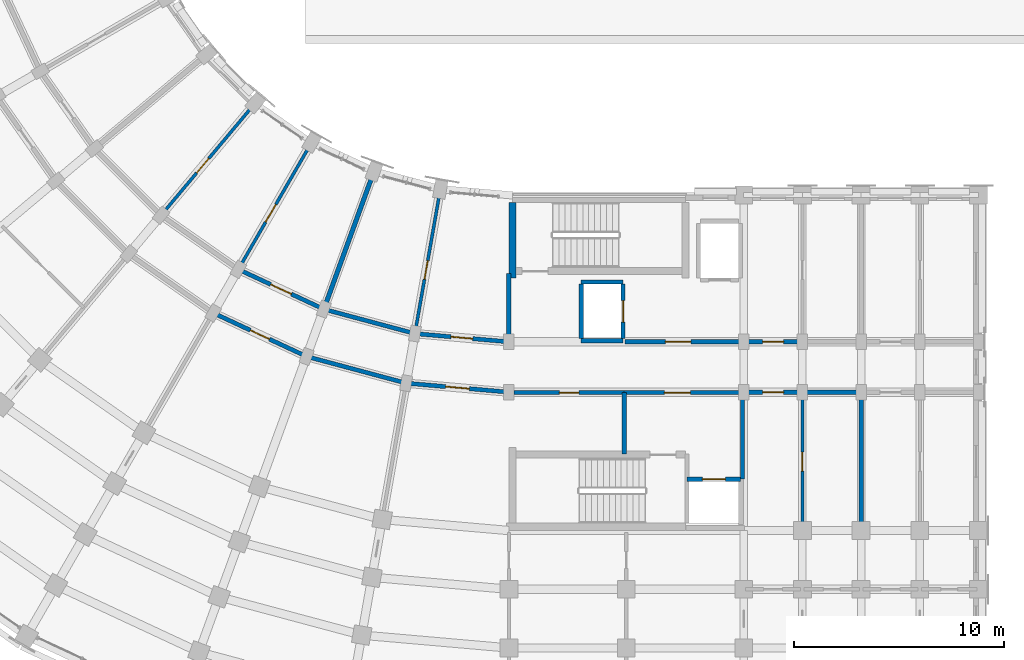
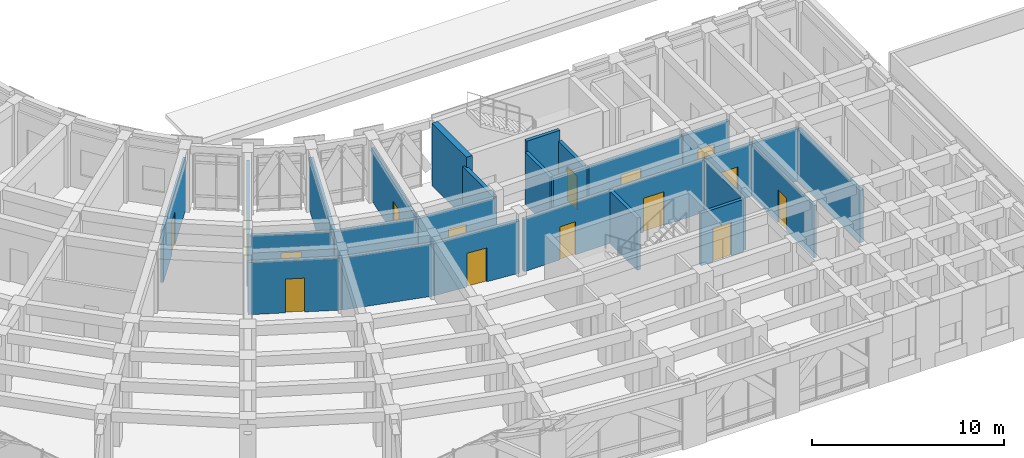
# One storey, part 58 of 97: 27 walls, 15 doors, 15 openings.
"""IFC4 building model written with IfcOpenShell, lengths in metres."""

from ifc_helpers import new_model, si_unit, direction, frame, frame_2d, origin, place, context, subcontext, project, spatial, rectangle, extrude, material, layer, layer_set, type_object, element, fill, save


model = new_model("IFC4")

# Units and contexts
model_context = context("Model", 3, precision=1e-05, world=origin(), true_north=direction((0.0, 1.0)))
body_context = subcontext(model_context, "Body", "Model", "MODEL_VIEW")
ifc_project = project(units=[si_unit("LENGTHUNIT", "METRE"), si_unit("AREAUNIT", "SQUARE_METRE"), si_unit("VOLUMEUNIT", "CUBIC_METRE"), si_unit("PLANEANGLEUNIT", "RADIAN"), si_unit("MASSUNIT", "GRAM", prefix="KILO")], contexts=[model_context])

# Site, building, storey
site_placement = place(None, origin())
site = spatial("IfcSite", under=ifc_project, at=site_placement, CompositionType="ELEMENT")
building_placement = place(site_placement, origin())
building = spatial("IfcBuilding", under=site, at=building_placement, Name="Kiranvali Square Residences", CompositionType="ELEMENT")
storey_placement = place(building_placement, frame((0.0, 0.0, 4.5)))
storey = spatial("IfcBuildingStorey", under=building, at=storey_placement, Name="L01", CompositionType="ELEMENT", Elevation=4.5)

# Wall, opening, door
ifc_material_1 = material(Name="Autoclaved aerated concrete blockwork masonry", Category="masonry")
ifc_layer_1 = layer(ifc_material_1, 0.199951171875)
ifc_layer_set_1 = layer_set([ifc_layer_1], Name="Autoclaved aerated concrete blockwork masonry")
wall_type_1 = type_object("IfcWallType", Name="WL-COR-200", PredefinedType="STANDARD", material=ifc_layer_set_1)
wall_1_placement = place(storey_placement, frame((53.75, 22.39990234375, 0.0), z_axis=(0.0, 0.0, 1.0), x_axis=(1.0, 0.0, 0.0)))
wall_1 = element("IfcWall", 1, at=wall_1_placement, inside=storey, type_object=wall_type_1, Name="L01 architectural wall WL-L01-C-LL-COR", PredefinedType="STANDARD", context=body_context, shape_type="SweptSolid", body=[
    extrude(rectangle(XDim=5.60009765625, YDim=0.199951171875, at=frame_2d((2.800048828125, 0.0))), origin(), (0.0, 0.0, 1.0), 3.322021484375),
])
opening_1_placement = place(wall_1_placement, frame((1.909912109375, 0.0, 0.0)))
opening_1 = element("IfcOpeningElement", 2, at=opening_1_placement, cuts=wall_1, Name="Opening FD-COR-60", PredefinedType="OPENING", context=body_context, shape_type="SweptSolid", body=[
    extrude(rectangle(XDim=1.219970703125, YDim=2.14990234375, at=frame_2d((0.60986328125, 1.074951171875))), frame((0.0, 0.10986328125, 0.0), z_axis=(0.0, -1.0, 0.0), x_axis=(1.0, 0.0, 0.0)), (0.0, 0.0, 1.0), 0.219970703125),
])
ifc_material_2 = material(Name="Fire-rated acoustic hardwood and mineral-core door assembly", Category="wood")
door_type_1 = type_object("IfcDoorType", Name="DR-FD60-1200", OperationType="NOTDEFINED", PredefinedType="DOOR", material=ifc_material_2)
door_1_placement = place(opening_1_placement, origin())
door_1 = element("IfcDoor", 3, at=door_1_placement, inside=storey, type_object=door_type_1, Name="L01 door DR-L01-1795 (DR-FD60-1200)", OperationType="SINGLE_SWING_LEFT", OverallHeight=2.14990234375, OverallWidth=1.219970703125, PredefinedType="DOOR", context=body_context, shape_type="SweptSolid", body=[
    extrude(rectangle(XDim=1.219970703125, YDim=2.14990234375, at=frame_2d((0.60986328125, 1.074951171875))), frame((0.0, 0.02490234375, 0.0), z_axis=(0.0, -1.0, 0.0), x_axis=(1.0, 0.0, 0.0)), (0.0, 0.0, 1.0), 0.050048828125),
])
fill(opening_1, door_1)

wall_2_placement = place(storey_placement, frame((59.39990234375, 22.39990234375, 0.0), z_axis=(0.0, 0.0, 1.0), x_axis=(1.0, 0.0, 0.0)))
wall_2 = element("IfcWall", 4, at=wall_2_placement, inside=storey, type_object=wall_type_1, Name="L01 architectural wall WL-L01-C-A1CI-0", PredefinedType="STANDARD", context=body_context, shape_type="SweptSolid", body=[
    extrude(rectangle(XDim=2.800048828125, YDim=0.199951171875, at=frame_2d((1.39990234375, 0.0))), origin(), (0.0, 0.0, 1.0), 3.322021484375),
])
opening_2_placement = place(wall_2_placement, frame((0.89990234375, 0.0, 0.0)))
opening_2 = element("IfcOpeningElement", 5, at=opening_2_placement, cuts=wall_2, Name="Opening FD-APT-60", PredefinedType="OPENING", context=body_context, shape_type="SweptSolid", body=[
    extrude(rectangle(XDim=1.0, YDim=2.14990234375, at=frame_2d((0.5, 1.074951171875))), frame((0.0, 0.10986328125, 0.0), z_axis=(0.0, -1.0, 0.0), x_axis=(1.0, 0.0, 0.0)), (0.0, 0.0, 1.0), 0.219970703125),
])
door_type_2 = type_object("IfcDoorType", Name="DR-APT-1000", OperationType="NOTDEFINED", PredefinedType="DOOR", material=ifc_material_2)
door_2_placement = place(opening_2_placement, origin())
door_2 = element("IfcDoor", 6, at=door_2_placement, inside=storey, type_object=door_type_2, Name="L01 door DR-L01-1799 (DR-APT-1000)", OperationType="SINGLE_SWING_LEFT", OverallHeight=2.14990234375, OverallWidth=1.0, PredefinedType="DOOR", context=body_context, shape_type="SweptSolid", body=[
    extrude(rectangle(XDim=1.0, YDim=2.14990234375, at=frame_2d((0.5, 1.074951171875))), frame((0.0, 0.02490234375, 0.0), z_axis=(0.0, -1.0, 0.0), x_axis=(1.0, 0.0, 0.0)), (0.0, 0.0, 1.0), 0.050048828125),
])
fill(opening_2, door_2)

wall_3_placement = place(storey_placement, frame((59.39990234375, 20.0, 0.0), z_axis=(0.0, 0.0, 1.0), x_axis=(1.0, 0.0, 0.0)))
wall_3 = element("IfcWall", 7, at=wall_3_placement, inside=storey, type_object=wall_type_1, Name="L01 architectural wall WL-L01-C-A1CO-0", PredefinedType="STANDARD", context=body_context, shape_type="SweptSolid", body=[
    extrude(rectangle(XDim=2.800048828125, YDim=0.199951171875, at=frame_2d((1.39990234375, 0.0))), origin(), (0.0, 0.0, 1.0), 3.322021484375),
])
opening_3_placement = place(wall_3_placement, frame((0.89990234375, 0.0, 0.0)))
opening_3 = element("IfcOpeningElement", 8, at=opening_3_placement, cuts=wall_3, Name="Opening FD-APT-60", PredefinedType="OPENING", context=body_context, shape_type="SweptSolid", body=[
    extrude(rectangle(XDim=1.0, YDim=2.14990234375, at=frame_2d((0.5, 1.074951171875))), frame((0.0, 0.10986328125, 0.0), z_axis=(0.0, -1.0, 0.0), x_axis=(1.0, 0.0, 0.0)), (0.0, 0.0, 1.0), 0.219970703125),
])
door_3_placement = place(opening_3_placement, origin())
door_3 = element("IfcDoor", 9, at=door_3_placement, inside=storey, type_object=door_type_2, Name="L01 door DR-L01-1801 (DR-APT-1000)", OperationType="SINGLE_SWING_LEFT", OverallHeight=2.14990234375, OverallWidth=1.0, PredefinedType="DOOR", context=body_context, shape_type="SweptSolid", body=[
    extrude(rectangle(XDim=1.0, YDim=2.14990234375, at=frame_2d((0.5, 1.074951171875))), frame((0.0, 0.02490234375, 0.0), z_axis=(0.0, -1.0, 0.0), x_axis=(1.0, 0.0, 0.0)), (0.0, 0.0, 1.0), 0.050048828125),
])
fill(opening_3, door_3)

# Wall
wall_4_placement = place(storey_placement, frame((62.199951171875, 20.0, 0.0), z_axis=(0.0, 0.0, 1.0), x_axis=(1.0, 0.0, 0.0)))
element("IfcWall", 10, at=wall_4_placement, inside=storey, type_object=wall_type_1, Name="L01 architectural wall WL-L01-C-A1CO-1", PredefinedType="STANDARD", context=body_context, shape_type="SweptSolid", body=[
    extrude(rectangle(XDim=2.800048828125, YDim=0.199951171875, at=frame_2d((1.39990234375, 0.0))), origin(), (0.0, 0.0, 1.0), 3.322021484375),
])

# Wall, opening, door
wall_5_placement = place(storey_placement, frame((48.199951171875, 22.39990234375, 0.0), z_axis=(0.0, 0.0, 1.0), x_axis=(-0.996191949488, 0.087187153726, 0.0)))
wall_5 = element("IfcWall", 11, at=wall_5_placement, inside=storey, type_object=wall_type_1, Name="L01 architectural wall WL-L01-C-CCI-0", PredefinedType="STANDARD", context=body_context, shape_type="SweptSolid", body=[
    extrude(rectangle(XDim=4.4970703125, YDim=0.199951171875, at=frame_2d((2.24853515625, 0.0))), origin(), (0.0, 0.0, 1.0), 3.322021484375),
])
opening_4_placement = place(wall_5_placement, frame((1.728515625, 0.0, 0.0)))
opening_4 = element("IfcOpeningElement", 12, at=opening_4_placement, cuts=wall_5, Name="Opening FD-APT-60B", PredefinedType="OPENING", context=body_context, shape_type="SweptSolid", body=[
    extrude(rectangle(XDim=1.0400390625, YDim=2.14990234375, at=frame_2d((0.52001953125, 1.074951171875))), frame((0.0, 0.10986328125, 0.0), z_axis=(0.0, -1.0, 0.0), x_axis=(1.0, 0.0, 0.0)), (0.0, 0.0, 1.0), 0.219970703125),
])
door_type_3 = type_object("IfcDoorType", Name="DR-APT-1040", OperationType="NOTDEFINED", PredefinedType="DOOR", material=ifc_material_2)
door_4_placement = place(opening_4_placement, origin())
door_4 = element("IfcDoor", 13, at=door_4_placement, inside=storey, type_object=door_type_3, Name="L01 door DR-L01-1831 (DR-APT-1040)", OperationType="SINGLE_SWING_LEFT", OverallHeight=2.14990234375, OverallWidth=1.0400390625, PredefinedType="DOOR", context=body_context, shape_type="SweptSolid", body=[
    extrude(rectangle(XDim=1.0400390625, YDim=2.14990234375, at=frame_2d((0.52001953125, 1.074951171875))), frame((0.0, 0.02490234375, 0.0), z_axis=(0.0, -1.0, 0.0), x_axis=(1.0, 0.0, 0.0)), (0.0, 0.0, 1.0), 0.050048828125),
])
fill(opening_4, door_4)

wall_6_placement = place(storey_placement, frame((48.199951171875, 20.0, 0.0), z_axis=(0.0, 0.0, 1.0), x_axis=(-0.996193663584, 0.087167566415, 0.0)))
wall_6 = element("IfcWall", 14, at=wall_6_placement, inside=storey, type_object=wall_type_1, Name="L01 architectural wall WL-L01-C-CCO-0", PredefinedType="STANDARD", context=body_context, shape_type="SweptSolid", body=[
    extrude(rectangle(XDim=4.91552734375, YDim=0.199951171875, at=frame_2d((2.457763671875, 0.0))), origin(), (0.0, 0.0, 1.0), 3.322021484375),
])
opening_5_placement = place(wall_6_placement, frame((1.8876953125, 0.0, 0.0)))
opening_5 = element("IfcOpeningElement", 15, at=opening_5_placement, cuts=wall_6, Name="Opening FD-APT-60D", PredefinedType="OPENING", context=body_context, shape_type="SweptSolid", body=[
    extrude(rectangle(XDim=1.139892578125, YDim=2.14990234375, at=frame_2d((0.56982421875, 1.074951171875))), frame((0.0, 0.10986328125, 0.0), z_axis=(0.0, -1.0, 0.0), x_axis=(1.0, 0.0, 0.0)), (0.0, 0.0, 1.0), 0.219970703125),
])
door_type_4 = type_object("IfcDoorType", Name="DR-APT-1140", OperationType="NOTDEFINED", PredefinedType="DOOR", material=ifc_material_2)
door_5_placement = place(opening_5_placement, frame((1.139892578125, 0.0, 0.0), z_axis=(0.0, 0.0, 1.0), x_axis=(-1.0, 0.0, 0.0)))
door_5 = element("IfcDoor", 16, at=door_5_placement, inside=storey, type_object=door_type_4, Name="L01 door DR-L01-1824 (DR-APT-1140)", OperationType="SINGLE_SWING_RIGHT", OverallHeight=2.14990234375, OverallWidth=1.139892578125, PredefinedType="DOOR", context=body_context, shape_type="SweptSolid", body=[
    extrude(rectangle(XDim=1.139892578125, YDim=2.14990234375, at=frame_2d((0.56982421875, 1.074951171875))), frame((0.0, 0.02490234375, 0.0), z_axis=(0.0, -1.0, 0.0), x_axis=(1.0, 0.0, 0.0)), (0.0, 0.0, 1.0), 0.050048828125),
])
fill(opening_5, door_5)

# Walls
wall_7_placement = place(storey_placement, frame((43.719970703125, 22.7919921875, 0.0), z_axis=(0.0, 0.0, 1.0), x_axis=(-0.965934240054, 0.258787642463, 0.0)))
element("IfcWall", 17, at=wall_7_placement, inside=storey, type_object=wall_type_1, Name="L01 architectural wall WL-L01-C-CCI-1", PredefinedType="STANDARD", context=body_context, shape_type="SweptSolid", body=[
    extrude(rectangle(XDim=4.497314453125, YDim=0.199951171875, at=frame_2d((2.24853515625, 0.0))), origin(), (0.0, 0.0, 1.0), 3.322021484375),
])
wall_8_placement = place(storey_placement, frame((43.30322265625, 20.428466796875, 0.0), z_axis=(0.0, 0.0, 1.0), x_axis=(-0.965930095386, 0.258803112091, 0.0)))
element("IfcWall", 18, at=wall_8_placement, inside=storey, type_object=wall_type_1, Name="L01 architectural wall WL-L01-C-CCO-1", PredefinedType="STANDARD", context=body_context, shape_type="SweptSolid", body=[
    extrude(rectangle(XDim=4.915771484375, YDim=0.199951171875, at=frame_2d((2.4580078125, 0.0))), origin(), (0.0, 0.0, 1.0), 3.322021484375),
])

# Wall, opening, door
wall_9_placement = place(storey_placement, frame((39.3759765625, 23.955810546875, 0.0), z_axis=(0.0, 0.0, 1.0), x_axis=(-0.906307919131, 0.422617978463, 0.0)))
wall_9 = element("IfcWall", 19, at=wall_9_placement, inside=storey, type_object=wall_type_1, Name="L01 architectural wall WL-L01-C-CCI-2", PredefinedType="STANDARD", context=body_context, shape_type="SweptSolid", body=[
    extrude(rectangle(XDim=4.497314453125, YDim=0.199951171875, at=frame_2d((2.24853515625, 0.0))), origin(), (0.0, 0.0, 1.0), 3.322021484375),
])
opening_6_placement = place(wall_9_placement, frame((1.708740234375, 0.0, 0.0)))
opening_6 = element("IfcOpeningElement", 20, at=opening_6_placement, cuts=wall_9, Name="Opening FD-APT-60C", PredefinedType="OPENING", context=body_context, shape_type="SweptSolid", body=[
    extrude(rectangle(XDim=1.080078125, YDim=2.14990234375, at=frame_2d((0.5400390625, 1.074951171875))), frame((0.0, 0.10986328125, 0.0), z_axis=(0.0, -1.0, 0.0), x_axis=(1.0, 0.0, 0.0)), (0.0, 0.0, 1.0), 0.219970703125),
])
door_type_5 = type_object("IfcDoorType", Name="DR-APT-1080", OperationType="NOTDEFINED", PredefinedType="DOOR", material=ifc_material_2)
door_6_placement = place(opening_6_placement, frame((1.080078125, 0.0, 0.0), z_axis=(0.0, 0.0, 1.0), x_axis=(-1.0, 0.0, 0.0)))
door_6 = element("IfcDoor", 21, at=door_6_placement, inside=storey, type_object=door_type_5, Name="L01 door DR-L01-1832 (DR-APT-1080)", OperationType="SINGLE_SWING_RIGHT", OverallHeight=2.14990234375, OverallWidth=1.080078125, PredefinedType="DOOR", context=body_context, shape_type="SweptSolid", body=[
    extrude(rectangle(XDim=1.080078125, YDim=2.14990234375, at=frame_2d((0.5400390625, 1.074951171875))), frame((0.0, 0.02490234375, 0.0), z_axis=(0.0, -1.0, 0.0), x_axis=(1.0, 0.0, 0.0)), (0.0, 0.0, 1.0), 0.050048828125),
])
fill(opening_6, door_6)

wall_10_placement = place(storey_placement, frame((38.554931640625, 21.70068359375, 0.0), z_axis=(0.0, 0.0, 1.0), x_axis=(-0.906302381024, 0.422629854778, 0.0)))
wall_10 = element("IfcWall", 22, at=wall_10_placement, inside=storey, type_object=wall_type_1, Name="L01 architectural wall WL-L01-C-CCO-2", PredefinedType="STANDARD", context=body_context, shape_type="SweptSolid", body=[
    extrude(rectangle(XDim=4.915283203125, YDim=0.199951171875, at=frame_2d((2.45751953125, 0.0))), origin(), (0.0, 0.0, 1.0), 3.322021484375),
])
opening_7_placement = place(wall_10_placement, frame((1.957763671875, 0.0, 0.0)))
opening_7 = element("IfcOpeningElement", 23, at=opening_7_placement, cuts=wall_10, Name="Opening FD-APT-60", PredefinedType="OPENING", context=body_context, shape_type="SweptSolid", body=[
    extrude(rectangle(XDim=1.0, YDim=2.14990234375, at=frame_2d((0.5, 1.074951171875))), frame((0.0, 0.10986328125, 0.0), z_axis=(0.0, -1.0, 0.0), x_axis=(1.0, 0.0, 0.0)), (0.0, 0.0, 1.0), 0.219970703125),
])
door_7_placement = place(opening_7_placement, origin())
door_7 = element("IfcDoor", 24, at=door_7_placement, inside=storey, type_object=door_type_2, Name="L01 door DR-L01-1825 (DR-APT-1000)", OperationType="SINGLE_SWING_LEFT", OverallHeight=2.14990234375, OverallWidth=1.0, PredefinedType="DOOR", context=body_context, shape_type="SweptSolid", body=[
    extrude(rectangle(XDim=1.0, YDim=2.14990234375, at=frame_2d((0.5, 1.074951171875))), frame((0.0, 0.02490234375, 0.0), z_axis=(0.0, -1.0, 0.0), x_axis=(1.0, 0.0, 0.0)), (0.0, 0.0, 1.0), 0.050048828125),
])
fill(opening_7, door_7)

# Walls
ifc_layer_2 = layer(ifc_material_1, 0.219970703125)
ifc_layer_set_2 = layer_set([ifc_layer_2], Name="Autoclaved aerated concrete blockwork masonry")
wall_type_2 = type_object("IfcWallType", Name="WL-DEM-220", PredefinedType="STANDARD", material=ifc_layer_set_2)
wall_11_placement = place(storey_placement, frame((65.0, 19.949951171875, 0.0), z_axis=(0.0, 0.0, 1.0), x_axis=(0.0, -1.0, 0.0)))
element("IfcWall", 25, at=wall_11_placement, inside=storey, type_object=wall_type_2, Name="L01 architectural wall WL-L01-C-A1TO1-2", PredefinedType="STANDARD", context=body_context, shape_type="SweptSolid", body=[
    extrude(rectangle(XDim=6.530029296875, YDim=0.219970703125, at=frame_2d((3.26513671875, 0.0))), origin(), (0.0, 0.0, 1.0), 3.322021484375),
])
wall_12_placement = place(storey_placement, frame((48.199951171875, 25.64990234375, 0.0), z_axis=(0.0, 0.0, 1.0), x_axis=(0.0, -1.0, 0.0)))
element("IfcWall", 26, at=wall_12_placement, inside=storey, type_object=wall_type_2, Name="L01 architectural wall WL-L01-C-RADI-0", PredefinedType="STANDARD", context=body_context, shape_type="SweptSolid", body=[
    extrude(rectangle(XDim=3.199951171875, YDim=0.219970703125, at=frame_2d((1.60009765625, 0.0))), origin(), (0.0, 0.0, 1.0), 3.322021484375),
])
wall_13_placement = place(storey_placement, frame((41.70166015625, 30.345947265625, 0.0), z_axis=(0.0, 0.0, 1.0), x_axis=(-0.342010221662, -0.939696231917, 0.0)))
element("IfcWall", 27, at=wall_13_placement, inside=storey, type_object=wall_type_2, Name="L01 architectural wall WL-L01-C-RADI-2", PredefinedType="STANDARD", context=body_context, shape_type="SweptSolid", body=[
    extrude(rectangle(XDim=6.75, YDim=0.219970703125, at=frame_2d((3.375, 0.0))), origin(), (0.0, 0.0, 1.0), 3.322021484375),
])

# Wall, opening, door
ifc_layer_3 = layer(ifc_material_1, 0.199951171875)
ifc_layer_set_3 = layer_set([ifc_layer_3], Name="Autoclaved aerated concrete blockwork masonry")
wall_type_3 = type_object("IfcWallType", Name="WL-FFL-200", PredefinedType="STANDARD", material=ifc_layer_set_3)
wall_14_placement = place(storey_placement, frame((53.699951171875, 19.97998046875, 0.0), z_axis=(0.0, 0.0, 1.0), x_axis=(1.0, 0.0, 0.0)))
wall_14 = element("IfcWall", 28, at=wall_14_placement, inside=storey, type_object=wall_type_3, Name="L01 architectural wall WL-L01-C-FF-COR", PredefinedType="STANDARD", context=body_context, shape_type="SweptSolid", body=[
    extrude(rectangle(XDim=5.650146484375, YDim=0.199951171875, at=frame_2d((2.8251953125, 0.0))), origin(), (0.0, 0.0, 1.0), 3.322021484375),
])
opening_8_placement = place(wall_14_placement, frame((1.922607421875, 0.0, 0.0)))
opening_8 = element("IfcOpeningElement", 29, at=opening_8_placement, cuts=wall_14, Name="Opening FD-ST-120", PredefinedType="OPENING", context=body_context, shape_type="SweptSolid", body=[
    extrude(rectangle(XDim=1.239990234375, YDim=2.14990234375, at=frame_2d((0.6201171875, 1.074951171875))), frame((0.0, 0.10986328125, 0.0), z_axis=(0.0, -1.0, 0.0), x_axis=(1.0, 0.0, 0.0)), (0.0, 0.0, 1.0), 0.219970703125),
])
door_type_6 = type_object("IfcDoorType", Name="DR-FD120-1200", OperationType="NOTDEFINED", PredefinedType="DOOR", material=ifc_material_2)
door_8_placement = place(opening_8_placement, origin())
door_8 = element("IfcDoor", 30, at=door_8_placement, inside=storey, type_object=door_type_6, Name="L01 door DR-L01-1787 (DR-FD120-1200)", OperationType="SINGLE_SWING_LEFT", OverallHeight=2.14990234375, OverallWidth=1.239990234375, PredefinedType="DOOR", context=body_context, shape_type="SweptSolid", body=[
    extrude(rectangle(XDim=1.239990234375, YDim=2.14990234375, at=frame_2d((0.6201171875, 1.074951171875))), frame((0.0, 0.02490234375, 0.0), z_axis=(0.0, -1.0, 0.0), x_axis=(1.0, 0.0, 0.0)), (0.0, 0.0, 1.0), 0.050048828125),
])
fill(opening_8, door_8)

# Walls
wall_15_placement = place(storey_placement, frame((53.699951171875, 19.97998046875, 0.0), z_axis=(0.0, 0.0, 1.0), x_axis=(0.0, -1.0, 0.0)))
element("IfcWall", 31, at=wall_15_placement, inside=storey, type_object=wall_type_3, Name="L01 architectural wall WL-L01-C-FF-DIV", PredefinedType="STANDARD", context=body_context, shape_type="SweptSolid", body=[
    extrude(rectangle(XDim=2.929931640625, YDim=0.199951171875, at=frame_2d((1.46484375, 0.0))), origin(), (0.0, 0.0, 1.0), 3.322021484375),
])
wall_16_placement = place(storey_placement, frame((59.35009765625, 19.97998046875, 0.0), z_axis=(0.0, 0.0, 1.0), x_axis=(0.0, -1.0, 0.0)))
element("IfcWall", 32, at=wall_16_placement, inside=storey, type_object=wall_type_3, Name="L01 architectural wall WL-L01-C-FF-END", PredefinedType="STANDARD", context=body_context, shape_type="SweptSolid", body=[
    extrude(rectangle(XDim=4.1298828125, YDim=0.199951171875, at=frame_2d((2.06494140625, 0.0))), origin(), (0.0, 0.0, 1.0), 3.322021484375),
])

# Wall, opening, door
wall_17_placement = place(storey_placement, frame((56.699951171875, 15.85009765625, 0.0), z_axis=(0.0, 0.0, 1.0), x_axis=(1.0, 0.0, 0.0)))
wall_17 = element("IfcWall", 33, at=wall_17_placement, inside=storey, type_object=wall_type_3, Name="L01 architectural wall WL-L01-C-FF-LFT", PredefinedType="STANDARD", context=body_context, shape_type="SweptSolid", body=[
    extrude(rectangle(XDim=2.550048828125, YDim=0.199951171875, at=frame_2d((1.27490234375, 0.0))), origin(), (0.0, 0.0, 1.0), 3.322021484375),
])
opening_9_placement = place(wall_17_placement, frame((0.72509765625, 0.0, 0.0)))
opening_9 = element("IfcOpeningElement", 34, at=opening_9_placement, cuts=wall_17, Name="Opening LD-FF-110", PredefinedType="OPENING", context=body_context, shape_type="SweptSolid", body=[
    extrude(rectangle(XDim=1.10009765625, YDim=2.14990234375, at=frame_2d((0.550048828125, 1.074951171875))), frame((0.0, 0.10986328125, 0.0), z_axis=(0.0, -1.0, 0.0), x_axis=(1.0, 0.0, 0.0)), (0.0, 0.0, 1.0), 0.219970703125),
])
door_type_7 = type_object("IfcDoorType", Name="DR-LIFT-FF-1100", OperationType="SLIDING_TO_LEFT", PredefinedType="DOOR", material=ifc_material_2)
door_9_placement = place(opening_9_placement, origin())
door_9 = element("IfcDoor", 35, at=door_9_placement, inside=storey, type_object=door_type_7, Name="L01 door DR-L01-1789 (DR-LIFT-FF-1100)", OperationType="SLIDING_TO_LEFT", OverallHeight=2.14990234375, OverallWidth=1.10009765625, PredefinedType="DOOR", context=body_context, shape_type="SweptSolid", body=[
    extrude(rectangle(XDim=1.10009765625, YDim=2.14990234375, at=frame_2d((0.550048828125, 1.074951171875))), frame((0.0, 0.02490234375, 0.0), z_axis=(0.0, -1.0, 0.0), x_axis=(1.0, 0.0, 0.0)), (0.0, 0.0, 1.0), 0.050048828125),
])
fill(opening_9, door_9)

ifc_material_3 = material(Name="Acoustic gypsum board drylined partition", Category="gypsum")
ifc_layer_4 = layer(ifc_material_3, 0.14990234375)
ifc_layer_set_4 = layer_set([ifc_layer_4], Name="Acoustic gypsum board drylined partition")
wall_type_4 = type_object("IfcWallType", Name="WL-PRT-150", PredefinedType="PARTITIONING", material=ifc_layer_set_4)
wall_18_placement = place(storey_placement, frame((62.199951171875, 19.949951171875, 0.0), z_axis=(0.0, 0.0, 1.0), x_axis=(0.0, -1.0, 0.0)))
wall_18 = element("IfcWall", 36, at=wall_18_placement, inside=storey, type_object=wall_type_4, Name="L01 architectural wall WL-L01-C-A1TO1-1", PredefinedType="PARTITIONING", context=body_context, shape_type="SweptSolid", body=[
    extrude(rectangle(XDim=6.530029296875, YDim=0.14990234375, at=frame_2d((3.26513671875, 0.0))), origin(), (0.0, 0.0, 1.0), 3.322021484375),
])
opening_10_placement = place(wall_18_placement, frame((2.81494140625, 0.0, 0.0)))
opening_10 = element("IfcOpeningElement", 37, at=opening_10_placement, cuts=wall_18, Name="Opening ID-1", PredefinedType="OPENING", context=body_context, shape_type="SweptSolid", body=[
    extrude(rectangle(XDim=0.89990234375, YDim=2.10009765625, at=frame_2d((0.449951171875, 1.050048828125))), frame((0.0, 0.0849609375, 0.0), z_axis=(0.0, -1.0, 0.0), x_axis=(1.0, 0.0, 0.0)), (0.0, 0.0, 1.0), 0.169921875),
])
ifc_material_4 = material(Name="Solid seasoned teak hardwood joinery", Category="wood")
door_type_8 = type_object("IfcDoorType", Name="DR-INT-900", OperationType="NOTDEFINED", PredefinedType="DOOR", material=ifc_material_4)
door_10_placement = place(opening_10_placement, origin())
door_10 = element("IfcDoor", 38, at=door_10_placement, inside=storey, type_object=door_type_8, Name="L01 door DR-L01-1809 (DR-INT-900)", OperationType="SINGLE_SWING_LEFT", OverallHeight=2.10009765625, OverallWidth=0.89990234375, PredefinedType="DOOR", context=body_context, shape_type="SweptSolid", body=[
    extrude(rectangle(XDim=0.89990234375, YDim=2.10009765625, at=frame_2d((0.449951171875, 1.050048828125))), frame((0.0, 0.02490234375, 0.0), z_axis=(0.0, -1.0, 0.0), x_axis=(1.0, 0.0, 0.0)), (0.0, 0.0, 1.0), 0.050048828125),
])
fill(opening_10, door_10)

wall_19_placement = place(storey_placement, frame((44.900634765625, 29.48876953125, 0.0), z_axis=(0.0, 0.0, 1.0), x_axis=(-0.173647089161, -0.984807944945, 0.0)))
wall_19 = element("IfcWall", 39, at=wall_19_placement, inside=storey, type_object=wall_type_4, Name="L01 architectural wall WL-L01-C-RADI-1", PredefinedType="PARTITIONING", context=body_context, shape_type="SweptSolid", body=[
    extrude(rectangle(XDim=6.75, YDim=0.14990234375, at=frame_2d((3.375, 0.0))), origin(), (0.0, 0.0, 1.0), 3.322021484375),
])
opening_11_placement = place(wall_19_placement, frame((3.262451171875, 0.0, 0.0)))
opening_11 = element("IfcOpeningElement", 40, at=opening_11_placement, cuts=wall_19, Name="Opening ID-1", PredefinedType="OPENING", context=body_context, shape_type="SweptSolid", body=[
    extrude(rectangle(XDim=0.89990234375, YDim=2.10009765625, at=frame_2d((0.449951171875, 1.050048828125))), frame((0.0, 0.0849609375, 0.0), z_axis=(0.0, -1.0, 0.0), x_axis=(1.0, 0.0, 0.0)), (0.0, 0.0, 1.0), 0.169921875),
])
door_11_placement = place(opening_11_placement, origin())
door_11 = element("IfcDoor", 41, at=door_11_placement, inside=storey, type_object=door_type_8, Name="L01 door DR-L01-1815 (DR-INT-900)", OperationType="SINGLE_SWING_LEFT", OverallHeight=2.10009765625, OverallWidth=0.89990234375, PredefinedType="DOOR", context=body_context, shape_type="SweptSolid", body=[
    extrude(rectangle(XDim=0.89990234375, YDim=2.10009765625, at=frame_2d((0.449951171875, 1.050048828125))), frame((0.0, 0.02490234375, 0.0), z_axis=(0.0, -1.0, 0.0), x_axis=(1.0, 0.0, 0.0)), (0.0, 0.0, 1.0), 0.050048828125),
])
fill(opening_11, door_11)

wall_20_placement = place(storey_placement, frame((38.699951171875, 31.74560546875, 0.0), z_axis=(0.0, 0.0, 1.0), x_axis=(-0.499997969693, -0.866026575979, 0.0)))
wall_20 = element("IfcWall", 42, at=wall_20_placement, inside=storey, type_object=wall_type_4, Name="L01 architectural wall WL-L01-C-RADI-3", PredefinedType="PARTITIONING", context=body_context, shape_type="SweptSolid", body=[
    extrude(rectangle(XDim=6.75, YDim=0.14990234375, at=frame_2d((3.375, 0.0))), origin(), (0.0, 0.0, 1.0), 3.322021484375),
])
opening_12_placement = place(wall_20_placement, frame((3.222412109375, 0.0, 0.0)))
opening_12 = element("IfcOpeningElement", 43, at=opening_12_placement, cuts=wall_20, Name="Opening ID-3", PredefinedType="OPENING", context=body_context, shape_type="SweptSolid", body=[
    extrude(rectangle(XDim=0.97998046875, YDim=2.1201171875, at=frame_2d((0.489990234375, 1.06005859375))), frame((0.0, 0.0849609375, 0.0), z_axis=(0.0, -1.0, 0.0), x_axis=(1.0, 0.0, 0.0)), (0.0, 0.0, 1.0), 0.169921875),
])
door_type_9 = type_object("IfcDoorType", Name="DR-INT-980", OperationType="NOTDEFINED", PredefinedType="DOOR", material=ifc_material_4)
door_12_placement = place(opening_12_placement, origin())
door_12 = element("IfcDoor", 44, at=door_12_placement, inside=storey, type_object=door_type_9, Name="L01 door DR-L01-1817 (DR-INT-980)", OperationType="SINGLE_SWING_LEFT", OverallHeight=2.1201171875, OverallWidth=0.97998046875, PredefinedType="DOOR", context=body_context, shape_type="SweptSolid", body=[
    extrude(rectangle(XDim=0.97998046875, YDim=2.1201171875, at=frame_2d((0.489990234375, 1.06005859375))), frame((0.0, 0.02490234375, 0.0), z_axis=(0.0, -1.0, 0.0), x_axis=(1.0, 0.0, 0.0)), (0.0, 0.0, 1.0), 0.050048828125),
])
fill(opening_12, door_12)

wall_21_placement = place(storey_placement, frame((35.987060546875, 33.645263671875, 0.0), z_axis=(0.0, 0.0, 1.0), x_axis=(-0.642784846501, -0.766046761698, 0.0)))
wall_21 = element("IfcWall", 45, at=wall_21_placement, inside=storey, type_object=wall_type_4, Name="L01 architectural wall WL-L01-C-RADI-4", PredefinedType="PARTITIONING", context=body_context, shape_type="SweptSolid", body=[
    extrude(rectangle(XDim=6.75, YDim=0.14990234375, at=frame_2d((3.375, 0.0))), origin(), (0.0, 0.0, 1.0), 3.322021484375),
])
opening_13_placement = place(wall_21_placement, frame((3.262451171875, 0.0, 0.0)))
opening_13 = element("IfcOpeningElement", 46, at=opening_13_placement, cuts=wall_21, Name="Opening ID-1", PredefinedType="OPENING", context=body_context, shape_type="SweptSolid", body=[
    extrude(rectangle(XDim=0.89990234375, YDim=2.10009765625, at=frame_2d((0.449951171875, 1.050048828125))), frame((0.0, 0.0849609375, 0.0), z_axis=(0.0, -1.0, 0.0), x_axis=(1.0, 0.0, 0.0)), (0.0, 0.0, 1.0), 0.169921875),
])
door_13_placement = place(opening_13_placement, origin())
door_13 = element("IfcDoor", 47, at=door_13_placement, inside=storey, type_object=door_type_8, Name="L01 door DR-L01-1819 (DR-INT-900)", OperationType="SINGLE_SWING_LEFT", OverallHeight=2.10009765625, OverallWidth=0.89990234375, PredefinedType="DOOR", context=body_context, shape_type="SweptSolid", body=[
    extrude(rectangle(XDim=0.89990234375, YDim=2.10009765625, at=frame_2d((0.449951171875, 1.050048828125))), frame((0.0, 0.02490234375, 0.0), z_axis=(0.0, -1.0, 0.0), x_axis=(1.0, 0.0, 0.0)), (0.0, 0.0, 1.0), 0.050048828125),
])
fill(opening_13, door_13)

ifc_layer_5 = layer(ifc_material_1, 0.199951171875)
ifc_layer_set_5 = layer_set([ifc_layer_5], Name="Autoclaved aerated concrete blockwork masonry")
wall_type_5 = type_object("IfcWallType", Name="WL-SHF-200", PredefinedType="STANDARD", material=ifc_layer_set_5)
wall_22_placement = place(storey_placement, frame((48.449951171875, 19.97998046875, 0.0), z_axis=(0.0, 0.0, 1.0), x_axis=(1.0, 0.0, 0.0)))
wall_22 = element("IfcWall", 48, at=wall_22_placement, inside=storey, type_object=wall_type_5, Name="L01 architectural wall WL-L01-C-RSR-COR", PredefinedType="STANDARD", context=body_context, shape_type="SweptSolid", body=[
    extrude(rectangle(XDim=5.25, YDim=0.199951171875, at=frame_2d((2.625, 0.0))), origin(), (0.0, 0.0, 1.0), 3.322021484375),
])
opening_14_placement = place(wall_22_placement, frame((2.1650390625, 0.0, 0.0)))
opening_14 = element("IfcOpeningElement", 49, at=opening_14_placement, cuts=wall_22, Name="Opening FD-SVC-120", PredefinedType="OPENING", context=body_context, shape_type="SweptSolid", body=[
    extrude(rectangle(XDim=0.919921875, YDim=2.10009765625, at=frame_2d((0.4599609375, 1.050048828125))), frame((0.0, 0.10986328125, 0.0), z_axis=(0.0, -1.0, 0.0), x_axis=(1.0, 0.0, 0.0)), (0.0, 0.0, 1.0), 0.219970703125),
])
door_type_10 = type_object("IfcDoorType", Name="DR-SVC-900", OperationType="NOTDEFINED", PredefinedType="DOOR", material=ifc_material_2)
door_14_placement = place(opening_14_placement, frame((0.919921875, 0.0, 0.0), z_axis=(0.0, 0.0, 1.0), x_axis=(-1.0, 0.0, 0.0)))
door_14 = element("IfcDoor", 50, at=door_14_placement, inside=storey, type_object=door_type_10, Name="L01 door DR-L01-1788 (DR-SVC-900)", OperationType="SINGLE_SWING_RIGHT", OverallHeight=2.10009765625, OverallWidth=0.919921875, PredefinedType="DOOR", context=body_context, shape_type="SweptSolid", body=[
    extrude(rectangle(XDim=0.919921875, YDim=2.10009765625, at=frame_2d((0.4599609375, 1.050048828125))), frame((0.0, 0.02490234375, 0.0), z_axis=(0.0, -1.0, 0.0), x_axis=(1.0, 0.0, 0.0)), (0.0, 0.0, 1.0), 0.050048828125),
])
fill(opening_14, door_14)

# Walls
wall_23_placement = place(storey_placement, frame((51.64990234375, 25.25, 0.0), z_axis=(0.0, 0.0, 1.0), x_axis=(1.0, 0.0, 0.0)))
element("IfcWall", 51, at=wall_23_placement, inside=storey, type_object=wall_type_5, Name="L01 architectural wall WL-L01-C-LP2-S0", PredefinedType="STANDARD", context=body_context, shape_type="SweptSolid", body=[
    extrude(rectangle(XDim=2.0, YDim=0.199951171875, at=frame_2d((1.0, 0.0))), origin(), (0.0, 0.0, 1.0), 3.97998046875),
])
wall_24_placement = place(storey_placement, frame((51.64990234375, 22.449951171875, 0.0), z_axis=(0.0, 0.0, 1.0), x_axis=(1.0, 0.0, 0.0)))
element("IfcWall", 52, at=wall_24_placement, inside=storey, type_object=wall_type_5, Name="L01 architectural wall WL-L01-C-LP2-B", PredefinedType="STANDARD", context=body_context, shape_type="SweptSolid", body=[
    extrude(rectangle(XDim=2.0, YDim=0.199951171875, at=frame_2d((1.0, 0.0))), origin(), (0.0, 0.0, 1.0), 3.322021484375),
])
wall_25_placement = place(storey_placement, frame((51.64990234375, 25.14990234375, 0.0), z_axis=(0.0, 0.0, 1.0), x_axis=(0.0, -1.0, 0.0)))
element("IfcWall", 53, at=wall_25_placement, inside=storey, type_object=wall_type_5, Name="L01 architectural wall WL-L01-C-LP2-S1", PredefinedType="STANDARD", context=body_context, shape_type="SweptSolid", body=[
    extrude(rectangle(XDim=2.599853515625, YDim=0.199951171875, at=frame_2d((1.2998046875, 0.0))), origin(), (0.0, 0.0, 1.0), 3.322021484375),
])

# Wall, opening, door
wall_26_placement = place(storey_placement, frame((53.64990234375, 25.14990234375, 0.0), z_axis=(0.0, 0.0, 1.0), x_axis=(0.0, -1.0, 0.0)))
wall_26 = element("IfcWall", 54, at=wall_26_placement, inside=storey, type_object=wall_type_5, Name="L01 architectural wall WL-L01-C-LP2-F", PredefinedType="STANDARD", context=body_context, shape_type="SweptSolid", body=[
    extrude(rectangle(XDim=2.599853515625, YDim=0.199951171875, at=frame_2d((1.2998046875, 0.0))), origin(), (0.0, 0.0, 1.0), 3.322021484375),
])
opening_15_placement = place(wall_26_placement, frame((0.7900390625, 0.0, 0.0)))
opening_15 = element("IfcOpeningElement", 55, at=opening_15_placement, cuts=wall_26, Name="Opening LD-PAX-100", PredefinedType="OPENING", context=body_context, shape_type="SweptSolid", body=[
    extrude(rectangle(XDim=1.02001953125, YDim=2.14990234375, at=frame_2d((0.510009765625, 1.074951171875))), frame((0.0, 0.10986328125, 0.0), z_axis=(0.0, -1.0, 0.0), x_axis=(1.0, 0.0, 0.0)), (0.0, 0.0, 1.0), 0.219970703125),
])
door_type_11 = type_object("IfcDoorType", Name="DR-LIFT-1000", OperationType="SLIDING_TO_RIGHT", PredefinedType="DOOR", material=ifc_material_2)
door_15_placement = place(opening_15_placement, origin())
door_15 = element("IfcDoor", 56, at=door_15_placement, inside=storey, type_object=door_type_11, Name="L01 door DR-L01-1794 (DR-LIFT-1000)", OperationType="SLIDING_TO_RIGHT", OverallHeight=2.14990234375, OverallWidth=1.02001953125, PredefinedType="DOOR", context=body_context, shape_type="SweptSolid", body=[
    extrude(rectangle(XDim=1.02001953125, YDim=2.14990234375, at=frame_2d((0.510009765625, 1.074951171875))), frame((0.0, 0.02490234375, 0.0), z_axis=(0.0, -1.0, 0.0), x_axis=(1.0, 0.0, 0.0)), (0.0, 0.0, 1.0), 0.050048828125),
])
fill(opening_15, door_15)

# Wall
ifc_material_5 = material(Name="Concrete M50 (50 MPa)", Category="concrete")
ifc_layer_6 = layer(ifc_material_5, 0.35009765625)
ifc_layer_set_6 = layer_set([ifc_layer_6], Name="Concrete M50 (50 MPa)")
wall_type_6 = type_object("IfcWallType", Name="WL-SHR-350", PredefinedType="SHEAR", material=ifc_layer_set_6)
wall_27_placement = place(storey_placement, frame((48.375, 29.050048828125, 0.0), z_axis=(0.0, 0.0, 1.0), x_axis=(0.0, -1.0, 0.0)))
element("IfcWall", 57, at=wall_27_placement, inside=storey, type_object=wall_type_6, Name="Block C core shear wall SW-C2-NEAR-L01", PredefinedType="SHEAR", context=body_context, shape_type="SweptSolid", body=[
    extrude(rectangle(XDim=3.60009765625, YDim=0.35009765625, at=frame_2d((1.800048828125, 0.0))), origin(), (0.0, 0.0, 1.0), 3.97998046875),
])

save(model, "model.ifc")
